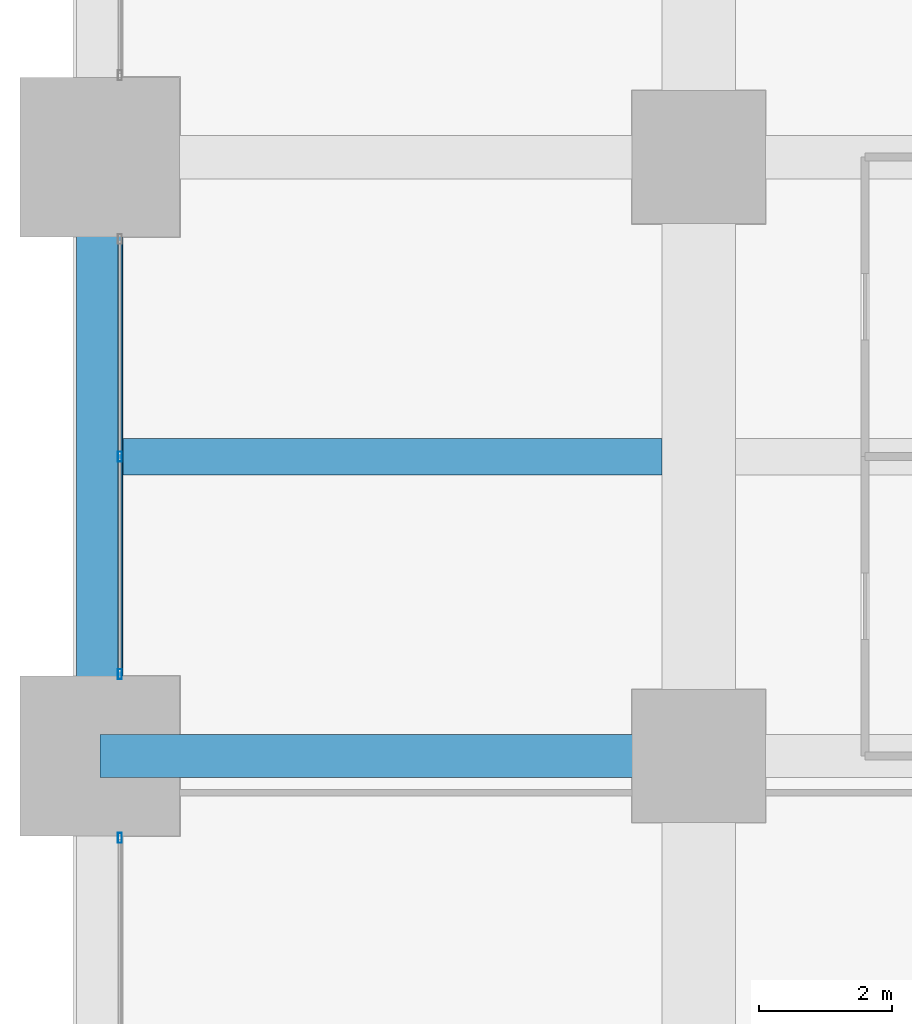
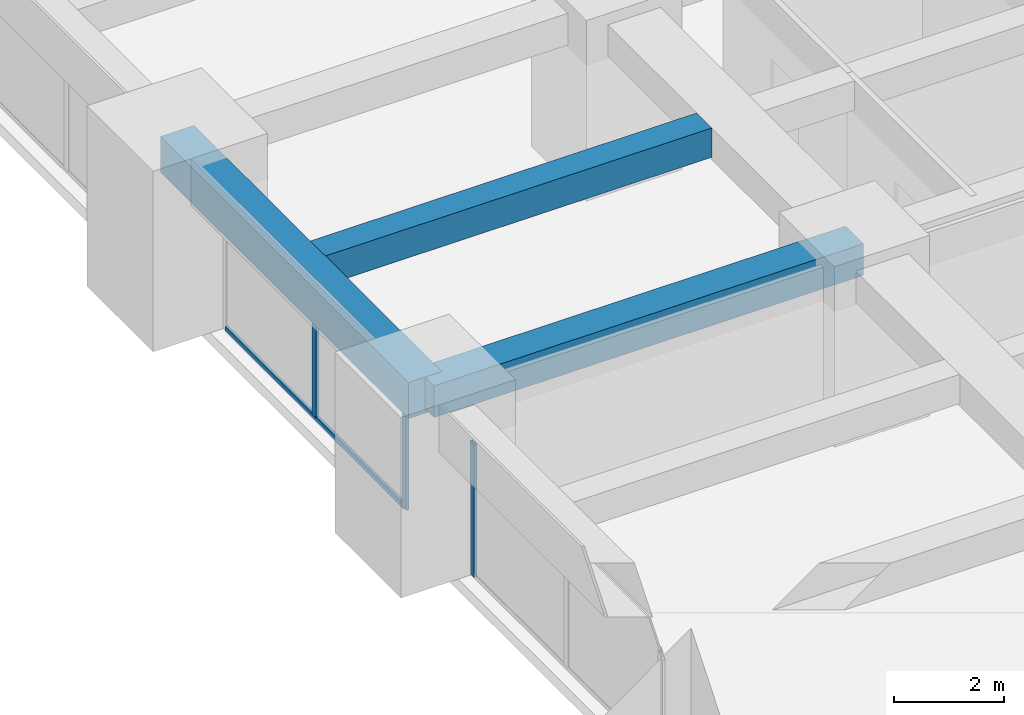
# One storey, part 9 of 41: 4 members, 3 beams, 2 elements without a shape of their own.
"""IFC4 building model written with IfcOpenShell, lengths in metres."""

from ifc_helpers import new_model, si_unit, direction, frame, origin, origin_2d, place, context, subcontext, project, spatial, rectangle, hollow_rectangle, extrude, material, material_profile, profile_set, type_object, element, aggregate, save


model = new_model("IFC4")

# Units and contexts
model_context = context("Model", 3, precision=1e-05, world=origin(), true_north=direction((0.0, 1.0)))
body_context = subcontext(model_context, "Body", "Model", "MODEL_VIEW")
ifc_project = project(units=[si_unit("LENGTHUNIT", "METRE"), si_unit("AREAUNIT", "SQUARE_METRE"), si_unit("VOLUMEUNIT", "CUBIC_METRE"), si_unit("PLANEANGLEUNIT", "RADIAN"), si_unit("MASSUNIT", "GRAM", prefix="KILO")], contexts=[model_context])

# Site, building, storey
site_placement = place(None, origin())
site = spatial("IfcSite", under=ifc_project, at=site_placement, CompositionType="ELEMENT")
building_placement = place(site_placement, origin())
building = spatial("IfcBuilding", under=site, at=building_placement, Name="Zorevar Civic Tower", CompositionType="ELEMENT")
storey_placement = place(building_placement, frame((0.0, 0.0, 97.0)))
storey = spatial("IfcBuildingStorey", under=building, at=storey_placement, Name="L23", CompositionType="ELEMENT", Elevation=97.0)

# Beams
ifc_material_1 = material(Name="Concrete C50/60", Category="concrete")
ifc_material_profile_1 = material_profile(ifc_material_1, rectangle(XDim=0.550048828125, YDim=0.64990234375, at=origin_2d()), Name="RC 550x650")
ifc_profile_set_1 = profile_set([ifc_material_profile_1], Name="Concrete C50/60")
beam_type_1 = type_object("IfcBeamType", Name="Beam RC 550x650", PredefinedType="BEAM", material=ifc_profile_set_1)
beam_1_placement = place(storey_placement, frame((0.35009765625, 22.5, 3.425048828125), z_axis=(1.0, 0.0, 0.0), x_axis=(0.0, 1.0, 0.0)))
element("IfcBeam", 1, at=beam_1_placement, inside=storey, type_object=beam_type_1, Name="Secondary beam L24", PredefinedType="BEAM", context=body_context, shape_type="SweptSolid", body=[
    extrude(rectangle(XDim=0.550048828125, YDim=0.64990234375, at=origin_2d()), origin(), (0.0, 0.0, 1.0), 8.099853515625),
])
ifc_material_2 = material(Name="Concrete C50/60", Category="concrete")
ifc_material_profile_2 = material_profile(ifc_material_2, rectangle(XDim=0.64990234375, YDim=0.699951171875, at=origin_2d()), Name="RC 650x700")
ifc_profile_set_2 = profile_set([ifc_material_profile_2], Name="Concrete C50/60")
beam_type_2 = type_object("IfcBeamType", Name="Beam RC 650x700", PredefinedType="BEAM", material=ifc_profile_set_2)
beam_2_placement = place(storey_placement, frame((0.0, 18.0, 3.39990234375), z_axis=(1.0, 0.0, 0.0), x_axis=(0.0, 1.0, 0.0)))
element("IfcBeam", 2, at=beam_2_placement, inside=storey, type_object=beam_type_2, Name="Girder L24", PredefinedType="BEAM", context=body_context, shape_type="SweptSolid", body=[
    extrude(rectangle(XDim=0.64990234375, YDim=0.699951171875, at=origin_2d()), origin(), (0.0, 0.0, 1.0), 9.0),
])

# Curtain wall, member
ifc_material_3 = material(Name="Dark grey solar-control glass in black aluminium frame", Category="aluminium")
curtain_wall_type = type_object("IfcCurtainWallType", Name="Curtain wall CW3 mid zone", PredefinedType="NOTDEFINED", material=ifc_material_3)
curtain_wall_1_placement = place(storey_placement, origin())
curtain_wall_1 = element("IfcCurtainWall", 3, at=curtain_wall_1_placement, inside=storey, type_object=curtain_wall_type, Name="CW3 L23", PredefinedType="NOTDEFINED")
ifc_material_4 = material(Name="Aluminium, black anodised", Category="aluminium")
ifc_material_profile_3 = material_profile(ifc_material_4, hollow_rectangle(XDim=0.06005859375, YDim=0.14990234375, WallThickness=0.00390625, at=origin_2d()), Name="AL 150x60x4")
ifc_profile_set_3 = profile_set([ifc_material_profile_3], Name="Aluminium, black anodised")
member_type_1 = type_object("IfcMemberType", Name="CW3 mullion AL 150x60x4", PredefinedType="MULLION", material=ifc_profile_set_3)
member_1_placement = place(storey_placement, frame((0.300048828125, 16.77001953125, 0.0), z_axis=(0.0, 0.0, 1.0), x_axis=(-1.0, 0.0, 0.0)))
member_1 = element("IfcMember", 4, at=member_1_placement, type_object=member_type_1, Name="CW3 mullion 3", PredefinedType="MULLION", context=body_context, shape_type="SweptSolid", body=[
    extrude(hollow_rectangle(XDim=0.06005859375, YDim=0.14990234375, WallThickness=0.00390625, at=origin_2d()), origin(), (0.0, 0.0, 1.0), 2.949951171875),
])
aggregate(curtain_wall_1, [member_1])

# Curtain wall, members
curtain_wall_2_placement = place(storey_placement, origin())
curtain_wall_2 = element("IfcCurtainWall", 5, at=curtain_wall_2_placement, inside=storey, type_object=curtain_wall_type, Name="CW3 L23", PredefinedType="NOTDEFINED")
member_2_placement = place(storey_placement, frame((0.300048828125, 19.22998046875, 0.0), z_axis=(0.0, 0.0, 1.0), x_axis=(-1.0, 0.0, 0.0)))
member_2 = element("IfcMember", 6, at=member_2_placement, type_object=member_type_1, Name="CW3 mullion 1", PredefinedType="MULLION", context=body_context, shape_type="SweptSolid", body=[
    extrude(hollow_rectangle(XDim=0.06005859375, YDim=0.14990234375, WallThickness=0.00390625, at=origin_2d()), origin(), (0.0, 0.0, 1.0), 2.949951171875),
])
member_3_placement = place(storey_placement, frame((0.300048828125, 22.5, 0.06005859375), z_axis=(0.0, 0.0, 1.0), x_axis=(-1.0, 0.0, 0.0)))
member_3 = element("IfcMember", 7, at=member_3_placement, type_object=member_type_1, Name="CW3 mullion 2", PredefinedType="MULLION", context=body_context, shape_type="SweptSolid", body=[
    extrude(hollow_rectangle(XDim=0.06005859375, YDim=0.14990234375, WallThickness=0.00390625, at=origin_2d()), origin(), (0.0, 0.0, 1.0), 2.889892578125),
])
ifc_material_5 = material(Name="Aluminium, black anodised", Category="aluminium")
ifc_material_profile_4 = material_profile(ifc_material_5, hollow_rectangle(XDim=0.06005859375, YDim=0.1201171875, WallThickness=0.0029296875, at=origin_2d()), Name="AL 120x60x3")
ifc_profile_set_4 = profile_set([ifc_material_profile_4], Name="Aluminium, black anodised")
member_type_2 = type_object("IfcMemberType", Name="CW3 transom AL 120x60x3", PredefinedType="USERDEFINED", material=ifc_profile_set_4)
member_4_placement = place(storey_placement, frame((0.300048828125, 19.260009765625, 0.030029296875), z_axis=(0.0, 1.0, 0.0), x_axis=(-1.0, 0.0, 0.0)))
member_4 = element("IfcMember", 8, at=member_4_placement, type_object=member_type_2, Name="CW3 sill transom", ObjectType="TRANSOM", PredefinedType="USERDEFINED", context=body_context, shape_type="SweptSolid", body=[
    extrude(hollow_rectangle(XDim=0.06005859375, YDim=0.1201171875, WallThickness=0.0029296875, at=origin_2d()), origin(), (0.0, 0.0, 1.0), 6.47998046875),
])
aggregate(curtain_wall_2, [member_2, member_3, member_4])

# Beam
ifc_material_6 = material(Name="Concrete C50/60", Category="concrete")
ifc_material_profile_5 = material_profile(ifc_material_6, rectangle(XDim=0.699951171875, YDim=0.800048828125, at=origin_2d()), Name="RC 700x800")
ifc_profile_set_5 = profile_set([ifc_material_profile_5], Name="Concrete C50/60")
beam_type_3 = type_object("IfcBeamType", Name="Edge beam RC 700x800", PredefinedType="SPANDREL", material=ifc_profile_set_5)
beam_3_placement = place(storey_placement, frame((0.0, 18.0, 3.35009765625), z_axis=(0.0, 1.0, 0.0), x_axis=(-1.0, 0.0, 0.0)))
element("IfcBeam", 9, at=beam_3_placement, inside=storey, type_object=beam_type_3, Name="Edge beam L24", PredefinedType="SPANDREL", context=body_context, shape_type="SweptSolid", body=[
    extrude(rectangle(XDim=0.699951171875, YDim=0.800048828125, at=origin_2d()), origin(), (0.0, 0.0, 1.0), 9.0),
])

save(model, "model.ifc")
